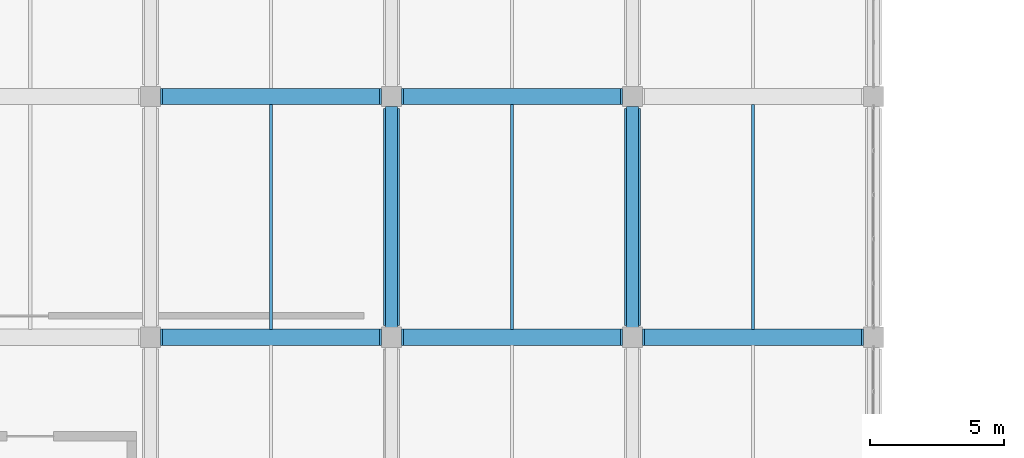
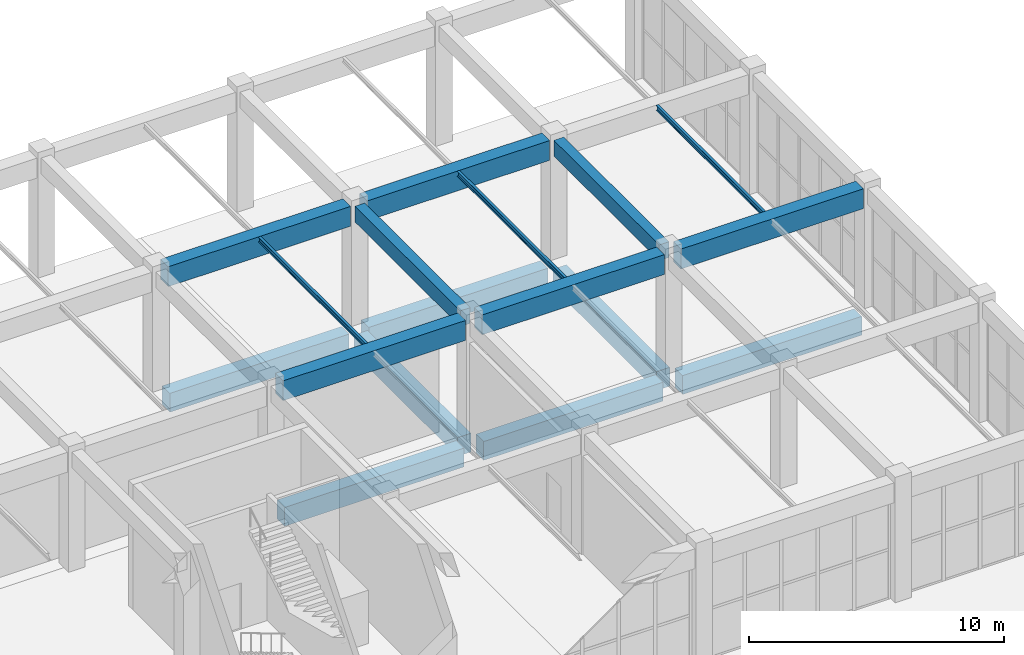
# One storey, part 48 of 91: 17 beams.
"""IFC4 building model written with IfcOpenShell, lengths in metres."""

from ifc_helpers import new_model, si_unit, direction, frame, origin, origin_2d, place, context, subcontext, project, spatial, rectangle, i_section, extrude, material, material_profile, profile_set, type_object, element, save


model = new_model("IFC4")

# Units and contexts
model_context = context("Model", 3, precision=1e-05, world=origin(), true_north=direction((0.0, 1.0)))
body_context = subcontext(model_context, "Body", "Model", "MODEL_VIEW")
ifc_project = project(units=[si_unit("LENGTHUNIT", "METRE"), si_unit("AREAUNIT", "SQUARE_METRE"), si_unit("VOLUMEUNIT", "CUBIC_METRE"), si_unit("PLANEANGLEUNIT", "RADIAN"), si_unit("MASSUNIT", "GRAM", prefix="KILO")], contexts=[model_context])

# Site, building, storey
site_placement = place(None, origin())
site = spatial("IfcSite", under=ifc_project, at=site_placement, CompositionType="ELEMENT")
building_placement = place(site_placement, origin())
building = spatial("IfcBuilding", under=site, at=building_placement, Name="Dornveld Trade and Exhibition Forum", CompositionType="ELEMENT")
storey_placement = place(building_placement, origin())
storey = spatial("IfcBuildingStorey", under=building, at=storey_placement, Name="L00", CompositionType="ELEMENT", Elevation=0.0)

# Beams
ifc_material_1 = material(Name="Concrete C40/50", Category="concrete")
ifc_material_profile_1 = material_profile(ifc_material_1, rectangle(XDim=0.60009765625, YDim=0.89990234375, at=origin_2d()), Name="RC-GB 600x900")
ifc_profile_set_1 = profile_set([ifc_material_profile_1], Name="Concrete C40/50")
beam_type_1 = type_object("IfcBeamType", Name="BM-GB-600x900", PredefinedType="BEAM", material=ifc_profile_set_1)
for number, where, z_axis, x_axis, name in (
    (1, (189.446044921875, 126.0, -0.830078125), (1.0, 0.0, 0.0), (0.0, 1.0, 0.0), "L00 X-girder 534"),
    (2, (198.446044921875, 126.0, -0.830078125), (1.0, 0.0, 0.0), (0.0, 1.0, 0.0), "L00 X-girder 535"),
    (3, (207.446044921875, 126.0, -0.830078125), (1.0, 0.0, 0.0), (0.0, 1.0, 0.0), "L00 X-girder 536"),
    (4, (189.446044921875, 135.0, -0.830078125), (1.0, 0.0, 0.0), (0.0, 1.0, 0.0), "L00 X-girder 539"),
    (5, (198.446044921875, 135.0, -0.830078125), (1.0, 0.0, 0.0), (0.0, 1.0, 0.0), "L00 X-girder 540"),
    (6, (198.0, 126.446044921875, -0.830078125), (0.0, 1.0, 0.0), (-1.0, 0.0, 0.0), "L00 Y-girder 557"),
    (7, (207.0, 126.446044921875, -0.830078125), (0.0, 1.0, 0.0), (-1.0, 0.0, 0.0), "L00 Y-girder 561"),
):
    element("IfcBeam", number, at=place(storey_placement, frame(where, z_axis=z_axis, x_axis=x_axis)), inside=storey, type_object=beam_type_1, Name=name, PredefinedType="BEAM", context=body_context, shape_type="SweptSolid", body=[
        extrude(rectangle(XDim=0.60009765625, YDim=0.89990234375, at=origin_2d()), origin(), (0.0, 0.0, 1.0), 8.10791015625),
    ])
ifc_material_2 = material(Name="Steel S355J2", Category="steel")
ifc_material_profile_2 = material_profile(ifc_material_2, i_section(OverallWidth=0.1201171875, OverallDepth=0.239990234375, WebThickness=0.006103515625, FlangeThickness=0.009765625, FilletRadius=0.014892578125, at=origin_2d()), Name="IPE 240")
ifc_profile_set_2 = profile_set([ifc_material_profile_2], Name="Steel S355J2")
beam_type_2 = type_object("IfcBeamType", Name="BM-JOIST-240", PredefinedType="JOIST", material=ifc_profile_set_2)
for number, where, z_axis, x_axis, name in (
    (8, (193.5, 126.297119140625, 5.580078125), (0.0, 1.0, 0.0), (-1.0, 0.0, 0.0), "L00 secondary joist 1011"),
    (9, (202.5, 126.297119140625, 5.580078125), (0.0, 1.0, 0.0), (-1.0, 0.0, 0.0), "L00 secondary joist 1015"),
    (10, (211.5, 126.297119140625, 5.580078125), (0.0, 1.0, 0.0), (-1.0, 0.0, 0.0), "L00 secondary joist 1019"),
):
    element("IfcBeam", number, at=place(storey_placement, frame(where, z_axis=z_axis, x_axis=x_axis)), inside=storey, type_object=beam_type_2, Name=name, PredefinedType="JOIST", context=body_context, shape_type="SweptSolid", body=[
        extrude(i_section(OverallWidth=0.1201171875, OverallDepth=0.239990234375, WebThickness=0.006103515625, FlangeThickness=0.009765625, FilletRadius=0.014892578125, at=origin_2d()), origin(), (0.0, 0.0, 1.0), 8.40576171875),
    ])
ifc_material_3 = material(Name="Precast concrete C50/60", Category="concrete")
ifc_material_profile_3 = material_profile(ifc_material_3, rectangle(XDim=0.449951171875, YDim=0.75, at=origin_2d()), Name="PC-BM 450x750")
ifc_profile_set_3 = profile_set([ifc_material_profile_3], Name="Precast concrete C50/60")
beam_type_3 = type_object("IfcBeamType", Name="BM-PC-450x750", PredefinedType="BEAM", material=ifc_profile_set_3)
for number, where, z_axis, x_axis, name in (
    (11, (198.0, 126.37109375, 5.324951171875), (0.0, 1.0, 0.0), (-1.0, 0.0, 0.0), "L00 Y-girder 993"),
    (12, (207.0, 126.37109375, 5.324951171875), (0.0, 1.0, 0.0), (-1.0, 0.0, 0.0), "L00 Y-girder 997"),
):
    element("IfcBeam", number, at=place(storey_placement, frame(where, z_axis=z_axis, x_axis=x_axis)), inside=storey, type_object=beam_type_3, Name=name, PredefinedType="BEAM", context=body_context, shape_type="SweptSolid", body=[
        extrude(rectangle(XDim=0.449951171875, YDim=0.75, at=origin_2d()), origin(), (0.0, 0.0, 1.0), 8.2578125),
    ])
ifc_material_4 = material(Name="Precast concrete C50/60", Category="concrete")
ifc_material_profile_4 = material_profile(ifc_material_4, rectangle(XDim=0.60009765625, YDim=0.949951171875, at=origin_2d()), Name="PC-GIR 600x950")
ifc_profile_set_4 = profile_set([ifc_material_profile_4], Name="Precast concrete C50/60")
beam_type_4 = type_object("IfcBeamType", Name="BM-PC-600x950", PredefinedType="T_BEAM", material=ifc_profile_set_4)
for number, where, z_axis, x_axis, name in (
    (13, (189.37109375, 126.0, 5.22509765625), (1.0, 0.0, 0.0), (0.0, 1.0, 0.0), "L00 X-girder 966"),
    (14, (198.37109375, 126.0, 5.22509765625), (1.0, 0.0, 0.0), (0.0, 1.0, 0.0), "L00 X-girder 967"),
    (15, (207.37109375, 126.0, 5.22509765625), (1.0, 0.0, 0.0), (0.0, 1.0, 0.0), "L00 X-girder 968"),
    (16, (189.37109375, 135.0, 5.22509765625), (1.0, 0.0, 0.0), (0.0, 1.0, 0.0), "L00 X-girder 971"),
    (17, (198.37109375, 135.0, 5.22509765625), (1.0, 0.0, 0.0), (0.0, 1.0, 0.0), "L00 X-girder 972"),
):
    element("IfcBeam", number, at=place(storey_placement, frame(where, z_axis=z_axis, x_axis=x_axis)), inside=storey, type_object=beam_type_4, Name=name, PredefinedType="T_BEAM", context=body_context, shape_type="SweptSolid", body=[
        extrude(rectangle(XDim=0.60009765625, YDim=0.949951171875, at=origin_2d()), origin(), (0.0, 0.0, 1.0), 8.2578125),
    ])

save(model, "model.ifc")
